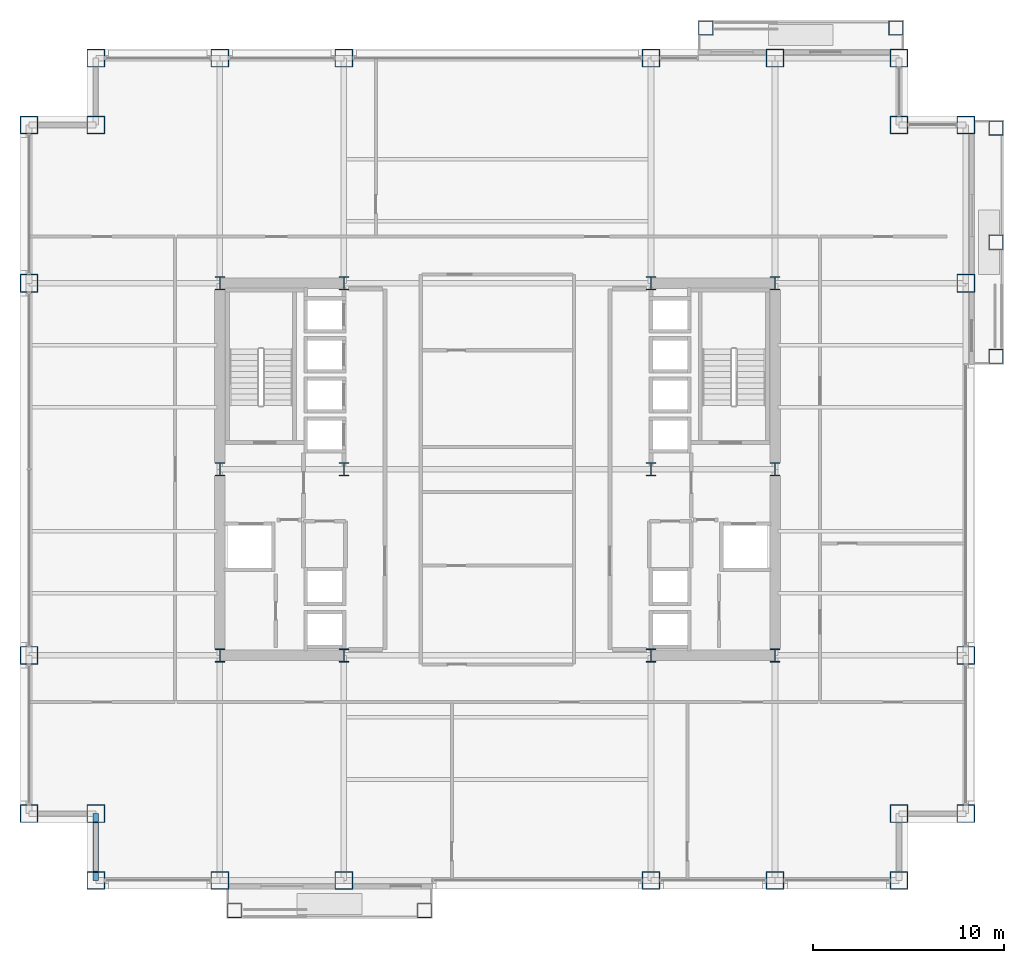
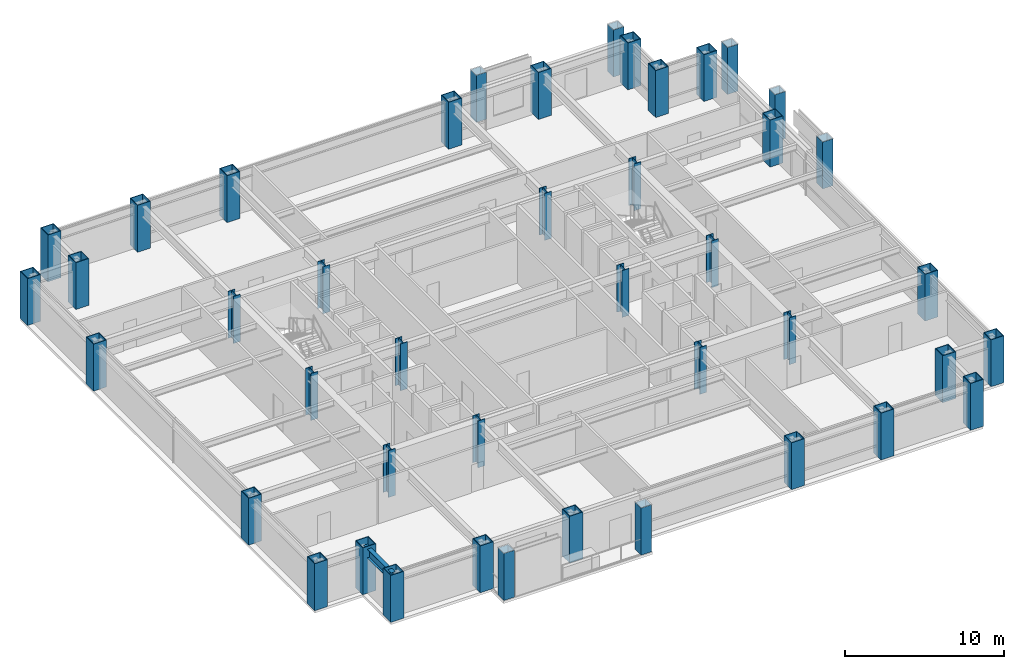
# One storey, part 1 of 31: 43 columns, 1 beam.
"""IFC4 building model written with IfcOpenShell, lengths in metres."""

from ifc_helpers import new_model, si_unit, direction, frame, origin, origin_2d, place, context, subcontext, project, spatial, hollow_rectangle, i_section, extrude, material, material_profile, profile_set, type_object, element, save


model = new_model("IFC4")

# Units and contexts
model_context = context("Model", 3, precision=1e-05, world=origin(), true_north=direction((0.0, 1.0)))
body_context = subcontext(model_context, "Body", "Model", "MODEL_VIEW")
ifc_project = project(units=[si_unit("LENGTHUNIT", "METRE"), si_unit("AREAUNIT", "SQUARE_METRE"), si_unit("VOLUMEUNIT", "CUBIC_METRE"), si_unit("PLANEANGLEUNIT", "RADIAN"), si_unit("MASSUNIT", "GRAM", prefix="KILO")], contexts=[model_context])

# Site, building, storey
site_placement = place(None, origin())
site = spatial("IfcSite", under=ifc_project, at=site_placement, CompositionType="ELEMENT")
building_placement = place(site_placement, origin())
building = spatial("IfcBuilding", under=site, at=building_placement, Name="Brelmoor Portico Tower", CompositionType="ELEMENT")
storey_placement = place(building_placement, frame((0.0, 0.0, 31.199951171875)))
storey = spatial("IfcBuildingStorey", under=building, at=storey_placement, Name="L07", CompositionType="ELEMENT", Elevation=31.199951171875)

# Columns
ifc_material_1 = material(Name="Steel Q355B", Category="steel")
ifc_material_profile_1 = material_profile(ifc_material_1, hollow_rectangle(XDim=0.75, YDim=0.75, WallThickness=0.031982421875, at=origin_2d()), Name="BOX 750x750x32")
ifc_profile_set_1 = profile_set([ifc_material_profile_1], Name="Steel Q355B")
column_type_1 = type_object("IfcColumnType", Name="COL-MEGA-750", PredefinedType="COLUMN", material=ifc_profile_set_1)
for number, where, z_axis, x_axis, name in (
    (1, (-13.780029296875, -23.1298828125, 0.0), (0.0, 0.0, 1.0), (1.0, 0.0, 0.0), "L07 Proud Picture-Frame Pier PFJ-S1"),
    (2, (-3.820068359375, -23.1298828125, 0.0), (0.0, 0.0, 1.0), (1.0, 0.0, 0.0), "L07 Proud Picture-Frame Pier PFJ-S2"),
    (3, (10.919921875, 23.1298828125, 0.0), (0.0, 0.0, 1.0), (1.0, 0.0, 0.0), "L07 Proud Picture-Frame Pier PFJ-N1"),
    (4, (20.8798828125, 23.1298828125, 0.0), (0.0, 0.0, 1.0), (1.0, 0.0, 0.0), "L07 Proud Picture-Frame Pier PFJ-N2"),
    (5, (26.1298828125, 5.919921875, 0.0), (0.0, 0.0, 1.0), (0.0, 1.0, 0.0), "L07 Proud Picture-Frame Pier PFJ-E1"),
    (6, (26.1298828125, 17.8798828125, 0.0), (0.0, 0.0, 1.0), (0.0, 1.0, 0.0), "L07 Proud Picture-Frame Pier PFJ-E2"),
    (7, (26.1298828125, 11.89990234375, 0.0), (0.0, 0.0, 1.0), (0.0, 1.0, 0.0), "L07 Proud Picture-Frame Pier PFJ-E3"),
):
    element("IfcColumn", number, at=place(storey_placement, frame(where, z_axis=z_axis, x_axis=x_axis)), inside=storey, type_object=column_type_1, Name=name, PredefinedType="COLUMN", context=body_context, shape_type="SweptSolid", body=[
        extrude(hollow_rectangle(XDim=0.75, YDim=0.75, WallThickness=0.031982421875, at=origin_2d()), origin(), (0.0, 0.0, 1.0), 3.60009765625),
    ])
ifc_material_2 = material(Name="Steel Q420B", Category="steel")
ifc_material_profile_2 = material_profile(ifc_material_2, hollow_rectangle(XDim=0.949951171875, YDim=0.949951171875, WallThickness=0.048095703125, at=origin_2d()), Name="BOX 950x950x48")
ifc_profile_set_2 = profile_set([ifc_material_profile_2], Name="Steel Q420B")
column_type_2 = type_object("IfcColumnType", Name="COL-MEGA-950", PredefinedType="COLUMN", material=ifc_profile_set_2)
for number, where, z_axis, x_axis, name in (
    (8, (-21.050048828125, -21.550048828125, 0.0), (0.0, 0.0, 1.0), (1.0, 0.0, 0.0), "L07 Perimeter Mega-Column PS01"),
    (9, (-14.550048828125, -21.550048828125, 0.0), (0.0, 0.0, 1.0), (1.0, 0.0, 0.0), "L07 Perimeter Mega-Column PS02"),
    (10, (-8.050048828125, -21.550048828125, 0.0), (0.0, 0.0, 1.0), (1.0, 0.0, 0.0), "L07 Perimeter Mega-Column PS03"),
    (11, (8.050048828125, -21.550048828125, 0.0), (0.0, 0.0, 1.0), (1.0, 0.0, 0.0), "L07 Perimeter Mega-Column PS04"),
    (12, (14.550048828125, -21.550048828125, 0.0), (0.0, 0.0, 1.0), (1.0, 0.0, 0.0), "L07 Perimeter Mega-Column PS05"),
    (13, (21.050048828125, -21.550048828125, 0.0), (0.0, 0.0, 1.0), (1.0, 0.0, 0.0), "L07 Perimeter Mega-Column PS06"),
    (14, (-21.050048828125, 21.550048828125, 0.0), (0.0, 0.0, 1.0), (1.0, 0.0, 0.0), "L07 Perimeter Mega-Column PN01"),
    (15, (-14.550048828125, 21.550048828125, 0.0), (0.0, 0.0, 1.0), (1.0, 0.0, 0.0), "L07 Perimeter Mega-Column PN02"),
    (16, (-8.050048828125, 21.550048828125, 0.0), (0.0, 0.0, 1.0), (1.0, 0.0, 0.0), "L07 Perimeter Mega-Column PN03"),
    (17, (8.050048828125, 21.550048828125, 0.0), (0.0, 0.0, 1.0), (1.0, 0.0, 0.0), "L07 Perimeter Mega-Column PN04"),
    (18, (14.550048828125, 21.550048828125, 0.0), (0.0, 0.0, 1.0), (1.0, 0.0, 0.0), "L07 Perimeter Mega-Column PN05"),
    (19, (21.050048828125, 21.550048828125, 0.0), (0.0, 0.0, 1.0), (1.0, 0.0, 0.0), "L07 Perimeter Mega-Column PN06"),
    (20, (-24.550048828125, -18.050048828125, 0.0), (0.0, 0.0, 1.0), (0.0, 1.0, 0.0), "L07 Perimeter Mega-Column PW01"),
    (21, (-24.550048828125, -9.75, 0.0), (0.0, 0.0, 1.0), (0.0, 1.0, 0.0), "L07 Perimeter Mega-Column PW02"),
    (22, (-24.550048828125, 9.75, 0.0), (0.0, 0.0, 1.0), (0.0, 1.0, 0.0), "L07 Perimeter Mega-Column PW03"),
    (23, (-24.550048828125, 18.050048828125, 0.0), (0.0, 0.0, 1.0), (0.0, 1.0, 0.0), "L07 Perimeter Mega-Column PW04"),
    (24, (24.550048828125, -18.050048828125, 0.0), (0.0, 0.0, 1.0), (0.0, 1.0, 0.0), "L07 Perimeter Mega-Column PE01"),
    (25, (24.550048828125, -9.75, 0.0), (0.0, 0.0, 1.0), (0.0, 1.0, 0.0), "L07 Perimeter Mega-Column PE02"),
    (26, (24.550048828125, 9.75, 0.0), (0.0, 0.0, 1.0), (0.0, 1.0, 0.0), "L07 Perimeter Mega-Column PE03"),
    (27, (24.550048828125, 18.050048828125, 0.0), (0.0, 0.0, 1.0), (0.0, 1.0, 0.0), "L07 Perimeter Mega-Column PE04"),
    (28, (-21.050048828125, 18.050048828125, 0.0), (0.0, 0.0, 1.0), (1.0, 0.0, 0.0), "L07 Perimeter Mega-Column PC-NW"),
    (29, (21.050048828125, 18.050048828125, 0.0), (0.0, 0.0, 1.0), (1.0, 0.0, 0.0), "L07 Perimeter Mega-Column PC-NE"),
    (30, (21.050048828125, -18.050048828125, 0.0), (0.0, 0.0, 1.0), (1.0, 0.0, 0.0), "L07 Perimeter Mega-Column PC-SE"),
    (31, (-21.050048828125, -18.050048828125, 0.0), (0.0, 0.0, 1.0), (1.0, 0.0, 0.0), "L07 Perimeter Mega-Column PC-SW"),
):
    element("IfcColumn", number, at=place(storey_placement, frame(where, z_axis=z_axis, x_axis=x_axis)), inside=storey, type_object=column_type_2, Name=name, PredefinedType="COLUMN", context=body_context, shape_type="SweptSolid", body=[
        extrude(hollow_rectangle(XDim=0.949951171875, YDim=0.949951171875, WallThickness=0.048095703125, at=origin_2d()), origin(), (0.0, 0.0, 1.0), 3.60009765625),
    ])
ifc_material_profile_3 = material_profile(ifc_material_2, i_section(OverallWidth=0.5, OverallDepth=0.699951171875, WebThickness=0.028076171875, FlangeThickness=0.044921875, at=origin_2d()), Name="HW 700x500x28x45")
ifc_profile_set_3 = profile_set([ifc_material_profile_3], Name="Steel Q420B")
column_type_3 = type_object("IfcColumnType", Name="COL-SPINE-700", PredefinedType="COLUMN", material=ifc_profile_set_3)
for number, where, z_axis, x_axis, name in (
    (32, (-14.550048828125, -9.75, 0.0), (0.0, 0.0, 1.0), (1.0, 0.0, 0.0), "L07 Core Spine Column CW-SW"),
    (33, (-14.550048828125, 0.0, 0.0), (0.0, 0.0, 1.0), (1.0, 0.0, 0.0), "L07 Core Spine Column CW-MW"),
    (34, (-14.550048828125, 9.75, 0.0), (0.0, 0.0, 1.0), (1.0, 0.0, 0.0), "L07 Core Spine Column CW-NW"),
    (35, (-8.050048828125, -9.75, 0.0), (0.0, 0.0, 1.0), (1.0, 0.0, 0.0), "L07 Core Spine Column CW-SE"),
    (36, (-8.050048828125, 0.0, 0.0), (0.0, 0.0, 1.0), (1.0, 0.0, 0.0), "L07 Core Spine Column CW-ME"),
    (37, (-8.050048828125, 9.75, 0.0), (0.0, 0.0, 1.0), (1.0, 0.0, 0.0), "L07 Core Spine Column CW-NE"),
    (38, (8.050048828125, -9.75, 0.0), (0.0, 0.0, 1.0), (1.0, 0.0, 0.0), "L07 Core Spine Column CE-SW"),
    (39, (8.050048828125, 0.0, 0.0), (0.0, 0.0, 1.0), (1.0, 0.0, 0.0), "L07 Core Spine Column CE-MW"),
    (40, (8.050048828125, 9.75, 0.0), (0.0, 0.0, 1.0), (1.0, 0.0, 0.0), "L07 Core Spine Column CE-NW"),
    (41, (14.550048828125, -9.75, 0.0), (0.0, 0.0, 1.0), (1.0, 0.0, 0.0), "L07 Core Spine Column CE-SE"),
    (42, (14.550048828125, 0.0, 0.0), (0.0, 0.0, 1.0), (1.0, 0.0, 0.0), "L07 Core Spine Column CE-ME"),
    (43, (14.550048828125, 9.75, 0.0), (0.0, 0.0, 1.0), (1.0, 0.0, 0.0), "L07 Core Spine Column CE-NE"),
):
    element("IfcColumn", number, at=place(storey_placement, frame(where, z_axis=z_axis, x_axis=x_axis)), inside=storey, type_object=column_type_3, Name=name, PredefinedType="COLUMN", context=body_context, shape_type="SweptSolid", body=[
        extrude(i_section(OverallWidth=0.5, OverallDepth=0.699951171875, WebThickness=0.028076171875, FlangeThickness=0.044921875, at=origin_2d()), origin(), (0.0, 0.0, 1.0), 3.60009765625),
    ])

# Beam
ifc_material_profile_4 = material_profile(ifc_material_1, i_section(OverallWidth=0.300048828125, OverallDepth=0.699951171875, WebThickness=0.012939453125, FlangeThickness=0.02392578125, at=origin_2d()), Name="HN 700x300x13x24")
ifc_profile_set_4 = profile_set([ifc_material_profile_4], Name="Steel Q355B")
beam_type = type_object("IfcBeamType", Name="BM-SP-700", PredefinedType="SPANDREL", material=ifc_profile_set_4)
beam_placement = place(storey_placement, frame((-21.050048828125, -21.550048828125, 3.050048828125), z_axis=(0.0, 1.0, 0.0), x_axis=(-1.0, 0.0, 0.0)))
element("IfcBeam", 44, at=beam_placement, inside=storey, type_object=beam_type, Name="L07 Perimeter Spandrel Beam SP-18", PredefinedType="SPANDREL", context=body_context, shape_type="SweptSolid", body=[
    extrude(i_section(OverallWidth=0.300048828125, OverallDepth=0.699951171875, WebThickness=0.012939453125, FlangeThickness=0.02392578125, at=origin_2d()), origin(), (0.0, 0.0, 1.0), 3.5),
])

save(model, "model.ifc")
